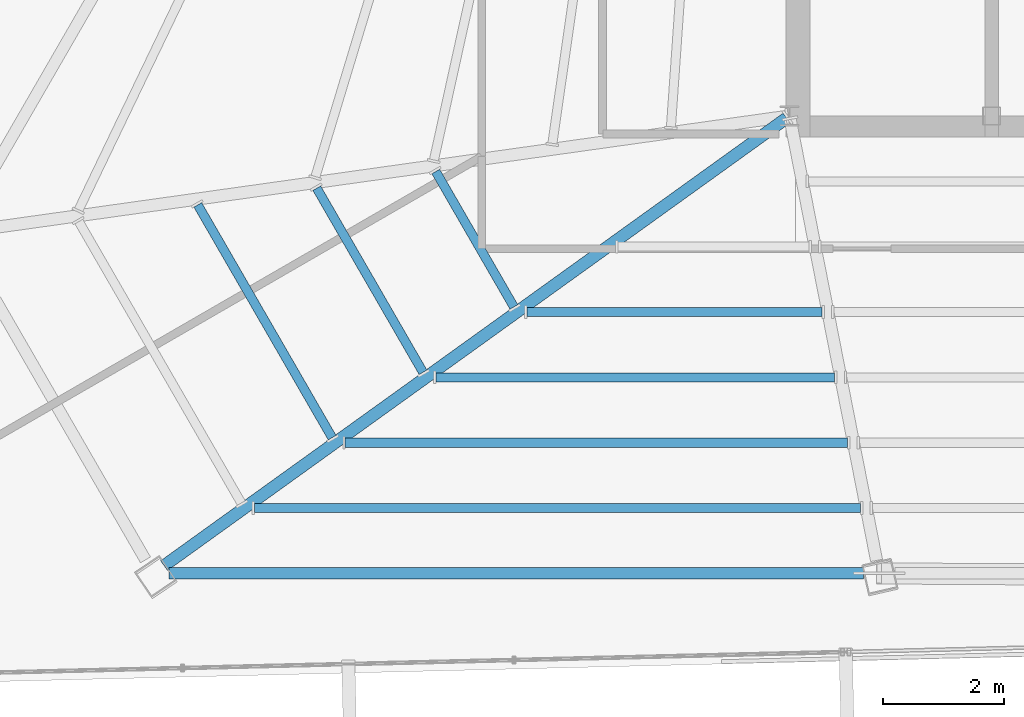
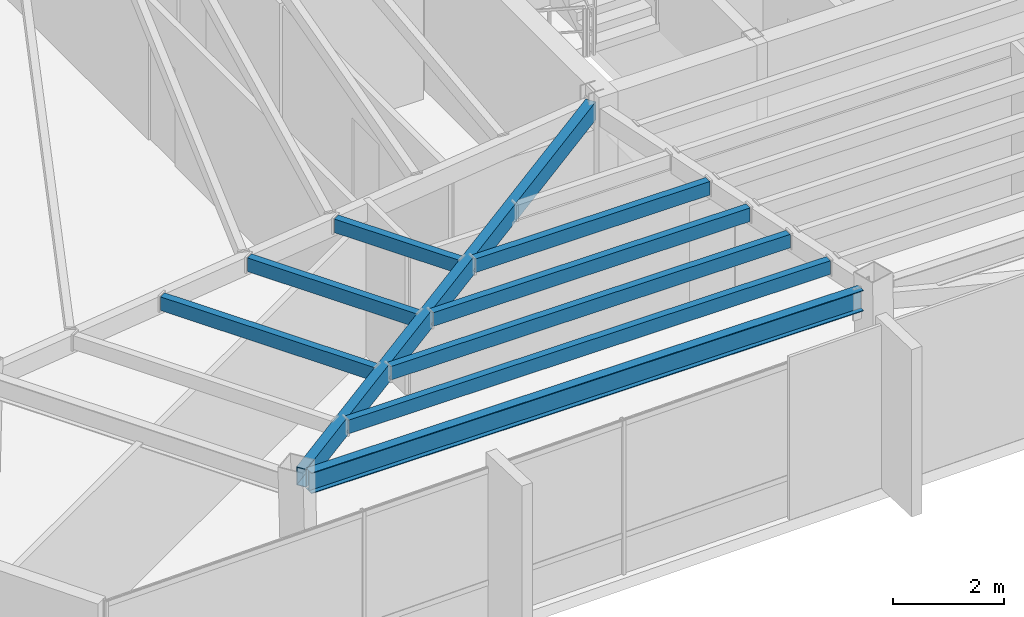
# One storey, part 6 of 48: 9 beams.
"""IFC4 building model written with IfcOpenShell, lengths in metres."""

from ifc_helpers import new_model, si_unit, direction, frame, origin, origin_2d, place, context, subcontext, project, spatial, hollow_rectangle, i_section, extrude, source, transform, mapped, material, material_profile, profile_set, type_object, type_shapes, element, save


model = new_model("IFC4")

# Units and contexts
model_context = context("Model", 3, precision=1e-05, world=origin(), true_north=direction((0.0, 1.0)))
body_context = subcontext(model_context, "Body", "Model", "MODEL_VIEW")
ifc_project = project(units=[si_unit("LENGTHUNIT", "METRE"), si_unit("AREAUNIT", "SQUARE_METRE"), si_unit("VOLUMEUNIT", "CUBIC_METRE"), si_unit("PLANEANGLEUNIT", "RADIAN"), si_unit("MASSUNIT", "GRAM", prefix="KILO")], contexts=[model_context])

# Site, building, storey
site_placement = place(None, origin())
site = spatial("IfcSite", under=ifc_project, at=site_placement, CompositionType="ELEMENT")
building_placement = place(site_placement, origin())
building = spatial("IfcBuilding", under=site, at=building_placement, Name="Caelisora Broadcast Tower", CompositionType="ELEMENT")
storey_placement = place(building_placement, frame((0.0, 0.0, 277.300048828125)))
storey = spatial("IfcBuildingStorey", under=building, at=storey_placement, Name="L73", CompositionType="ELEMENT", Elevation=277.300048828125)

# Beams
ifc_material_1 = material(Name="Steel Grade 350 (AS/NZS 3679.1)", Category="steel")
ifc_material_profile_1 = material_profile(ifc_material_1, i_section(OverallWidth=0.19091796875, OverallDepth=0.46044921875, WebThickness=0.010009765625, FlangeThickness=0.01611328125, at=origin_2d()), Name="Steel Grade 350 (AS/NZS 3679.1)")
ifc_profile_set_1 = profile_set([ifc_material_profile_1], Name="Steel Grade 350 (AS/NZS 3679.1)")
beam_type_1 = type_object("IfcBeamType", Name="PG06", PredefinedType="BEAM", material=ifc_profile_set_1)
shared_shape_1 = source(origin(), body_context, "Body", "SweptSolid", [
    extrude(i_section(OverallWidth=0.19091796875, OverallDepth=0.46044921875, WebThickness=0.010009765625, FlangeThickness=0.01611328125, at=origin_2d()), origin(), (0.0, 0.0, 1.0), 11.509521484375),
])
type_shapes(beam_type_1, [shared_shape_1])
beam_1_placement = place(storey_placement, frame((20.215576171875, 9.818115234375, 3.169677734375), z_axis=(1.0, 0.0, 0.0), x_axis=(0.0, 1.0, 0.0)))
element("IfcBeam", 1, at=beam_1_placement, inside=storey, type_object=beam_type_1, Name="L73 beam PG06", PredefinedType="BEAM", context=body_context, shape_type="MappedRepresentation", body=[
    mapped(shared_shape_1, transform((0.0, 0.0, 0.0), scale=1.0)),
])
ifc_material_2 = material(Name="Steel Grade 350 (AS/NZS 1163 C350L0)", Category="steel")
ifc_material_profile_2 = material_profile(ifc_material_2, hollow_rectangle(XDim=0.199951171875, YDim=0.39990234375, WallThickness=0.012451171875, at=origin_2d()), Name="Steel Grade 350 (AS/NZS 1163 C350L0)")
ifc_profile_set_2 = profile_set([ifc_material_profile_2], Name="Steel Grade 350 (AS/NZS 1163 C350L0)")
beam_type_2 = type_object("IfcBeamType", Name="PG07", PredefinedType="BEAM", material=ifc_profile_set_2)
shared_shape_2 = source(origin(), body_context, "Body", "SweptSolid", [
    extrude(hollow_rectangle(XDim=0.199951171875, YDim=0.39990234375, WallThickness=0.012451171875, at=origin_2d()), origin(), (0.0, 0.0, 1.0), 12.70751953125),
])
type_shapes(beam_type_2, [shared_shape_2])
beam_2_placement = place(storey_placement, frame((30.451416015625, 17.364990234375, 3.199951171875), z_axis=(-0.811909511256, -0.583783303574, 0.0), x_axis=(0.583783303574, -0.811909511256, 0.0)))
element("IfcBeam", 2, at=beam_2_placement, inside=storey, type_object=beam_type_2, Name="L73 beam PG07", PredefinedType="BEAM", context=body_context, shape_type="MappedRepresentation", body=[
    mapped(shared_shape_2, transform((0.0, 0.0, 0.0), scale=1.0)),
])
ifc_material_profile_3 = material_profile(ifc_material_2, hollow_rectangle(XDim=0.14990234375, YDim=0.300048828125, WallThickness=0.010009765625, at=origin_2d()), Name="Steel Grade 350 (AS/NZS 1163 C350L0)")
ifc_profile_set_3 = profile_set([ifc_material_profile_3], Name="Steel Grade 350 (AS/NZS 1163 C350L0)")
beam_type_3 = type_object("IfcBeamType", Name="SB05", PredefinedType="JOIST", material=ifc_profile_set_3)
shared_shape_3 = source(origin(), body_context, "Body", "SweptSolid", [
    extrude(hollow_rectangle(XDim=0.14990234375, YDim=0.300048828125, WallThickness=0.010009765625, at=origin_2d()), origin(), (0.0, 0.0, 1.0), 2.591552734375),
])
beam_3_placement = place(storey_placement, frame((24.636474609375, 16.4794921875, 3.25), z_axis=(0.499958946799, -0.866049104564, 0.0), x_axis=(0.866049104564, 0.499958946799, 0.0)))
element("IfcBeam", 3, at=beam_3_placement, inside=storey, type_object=beam_type_3, Name="L73 beam SB05", PredefinedType="JOIST", context=body_context, shape_type="MappedRepresentation", body=[
    mapped(shared_shape_3, transform((0.0, 0.0, 0.0), scale=1.0)),
])
shared_shape_4 = source(origin(), body_context, "Body", "SweptSolid", [
    extrude(hollow_rectangle(XDim=0.14990234375, YDim=0.300048828125, WallThickness=0.010009765625, at=origin_2d()), origin(), (0.0, 0.0, 1.0), 3.522705078125),
])
beam_4_placement = place(storey_placement, frame((22.664306640625, 16.202880859375, 3.25), z_axis=(0.500022403966, -0.866012468462, 0.0), x_axis=(0.866012468462, 0.500022403966, 0.0)))
element("IfcBeam", 4, at=beam_4_placement, inside=storey, type_object=beam_type_3, Name="L73 beam SB05", PredefinedType="JOIST", context=body_context, shape_type="MappedRepresentation", body=[
    mapped(shared_shape_4, transform((0.0, 0.0, 0.0), scale=1.0)),
])
shared_shape_5 = source(origin(), body_context, "Body", "SweptSolid", [
    extrude(hollow_rectangle(XDim=0.14990234375, YDim=0.300048828125, WallThickness=0.010009765625, at=origin_2d()), origin(), (0.0, 0.0, 1.0), 4.4541015625),
])
beam_5_placement = place(storey_placement, frame((20.6923828125, 15.92626953125, 3.25), z_axis=(0.499994480982, -0.866028590168, 0.0), x_axis=(0.866028590168, 0.499994480982, 0.0)))
element("IfcBeam", 5, at=beam_5_placement, inside=storey, type_object=beam_type_3, Name="L73 beam SB05", PredefinedType="JOIST", context=body_context, shape_type="MappedRepresentation", body=[
    mapped(shared_shape_5, transform((0.0, 0.0, 0.0), scale=1.0)),
])
shared_shape_6 = source(origin(), body_context, "Body", "SweptSolid", [
    extrude(hollow_rectangle(XDim=0.14990234375, YDim=0.300048828125, WallThickness=0.010009765625, at=origin_2d()), origin(), (0.0, 0.0, 1.0), 4.888427734375),
])
beam_6_placement = place(storey_placement, frame((26.149169921875, 14.150634765625, 3.25), z_axis=(1.0, 0.0, 0.0), x_axis=(0.0, 1.0, 0.0)))
element("IfcBeam", 6, at=beam_6_placement, inside=storey, type_object=beam_type_3, Name="L73 beam SB05", PredefinedType="JOIST", context=body_context, shape_type="MappedRepresentation", body=[
    mapped(shared_shape_6, transform((0.0, 0.0, 0.0), scale=1.0)),
])
shared_shape_7 = source(origin(), body_context, "Body", "SweptSolid", [
    extrude(hollow_rectangle(XDim=0.14990234375, YDim=0.300048828125, WallThickness=0.010009765625, at=origin_2d()), origin(), (0.0, 0.0, 1.0), 6.60693359375),
])
beam_7_placement = place(storey_placement, frame((24.642822265625, 13.0673828125, 3.25), z_axis=(1.0, 0.0, 0.0), x_axis=(0.0, 1.0, 0.0)))
element("IfcBeam", 7, at=beam_7_placement, inside=storey, type_object=beam_type_3, Name="L73 beam SB05", PredefinedType="JOIST", context=body_context, shape_type="MappedRepresentation", body=[
    mapped(shared_shape_7, transform((0.0, 0.0, 0.0), scale=1.0)),
])
shared_shape_8 = source(origin(), body_context, "Body", "SweptSolid", [
    extrude(hollow_rectangle(XDim=0.14990234375, YDim=0.300048828125, WallThickness=0.010009765625, at=origin_2d()), origin(), (0.0, 0.0, 1.0), 8.325439453125),
])
beam_8_placement = place(storey_placement, frame((23.136474609375, 11.984375, 3.25), z_axis=(1.0, 0.0, 0.0), x_axis=(0.0, 1.0, 0.0)))
element("IfcBeam", 8, at=beam_8_placement, inside=storey, type_object=beam_type_3, Name="L73 beam SB05", PredefinedType="JOIST", context=body_context, shape_type="MappedRepresentation", body=[
    mapped(shared_shape_8, transform((0.0, 0.0, 0.0), scale=1.0)),
])
shared_shape_9 = source(origin(), body_context, "Body", "SweptSolid", [
    extrude(hollow_rectangle(XDim=0.14990234375, YDim=0.300048828125, WallThickness=0.010009765625, at=origin_2d()), origin(), (0.0, 0.0, 1.0), 10.0439453125),
])
type_shapes(beam_type_3, [shared_shape_3, shared_shape_4, shared_shape_5, shared_shape_6, shared_shape_7, shared_shape_8, shared_shape_9])
beam_9_placement = place(storey_placement, frame((21.630126953125, 10.9013671875, 3.25), z_axis=(1.0, 0.0, 0.0), x_axis=(0.0, 1.0, 0.0)))
element("IfcBeam", 9, at=beam_9_placement, inside=storey, type_object=beam_type_3, Name="L73 beam SB05", PredefinedType="JOIST", context=body_context, shape_type="MappedRepresentation", body=[
    mapped(shared_shape_9, transform((0.0, 0.0, 0.0), scale=1.0)),
])

save(model, "model.ifc")
